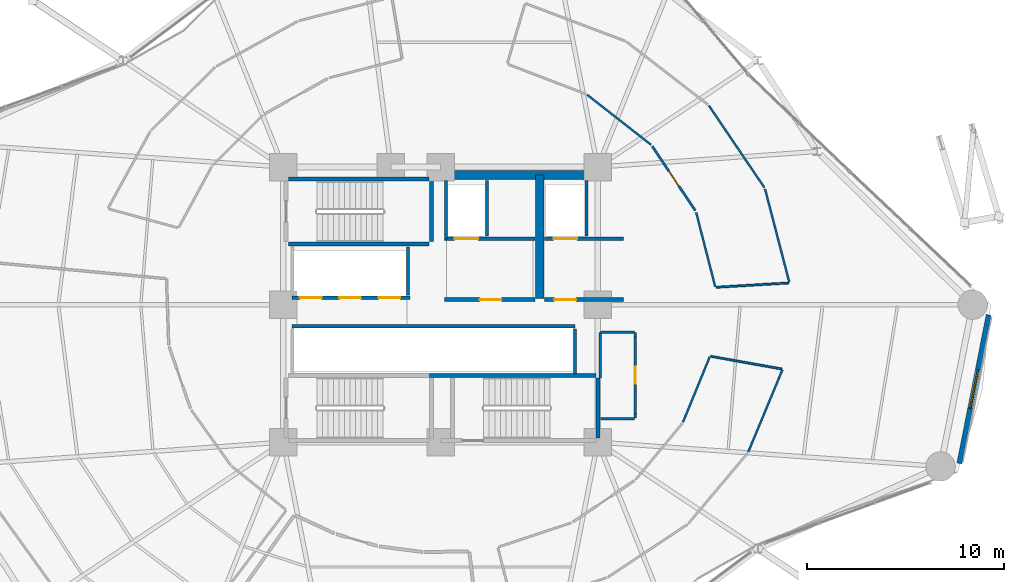
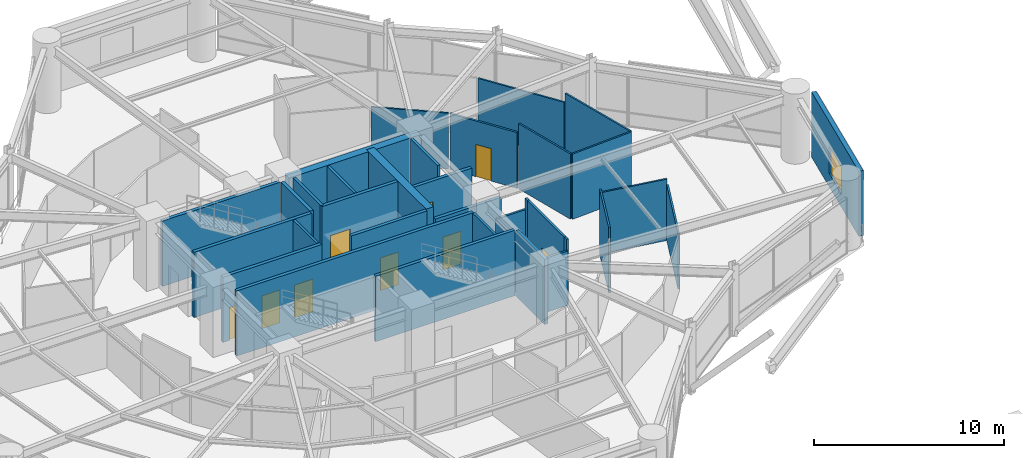
# One storey, part 45 of 55: 34 walls, 9 doors, 1 window, 10 openings.
"""IFC4 building model written with IfcOpenShell, lengths in metres."""

import ifcopenshell
import ifcopenshell.guid

model = None  # the IFC model being written
_history = None  # IfcOwnerHistory: only IFC2X3 demands one
_inside = {}  # id of a spatial element -> (the spatial element, [elements in it])
_under = {}  # id of a project, library or spatial element -> (it, [spatial elements below it])
_declared = {}  # id of a project -> (the project, [libraries it declares])
_typed = {}  # id of a type object -> (the type object, [elements of that type])
_made_of = {}  # id of a material, layer set ... -> (it, [elements and type objects made of it])


def new_model(schema):
    """Start an empty IFC model of exactly this schema.

    Asked for "IFC4X3", IfcOpenShell would pick the latest addendum, in which some entities
    have other attributes; the version numbers below select the first issue.
    IFC2X3 requires an IfcOwnerHistory on every rooted entity: one is made here for all.
    """
    global model, _history
    if schema == "IFC4X3":
        model = ifcopenshell.file(schema_version=(4, 3, 0, 0))
    else:
        model = ifcopenshell.file(schema=schema)
    _inside.clear()
    _under.clear()
    _declared.clear()
    _typed.clear()
    _made_of.clear()
    _history = None
    if model.schema == "IFC2X3":
        org = make("IfcOrganization", Name="unknown")
        user = make(
            "IfcPersonAndOrganization",
            ThePerson=make("IfcPerson", FamilyName="unknown"),
            TheOrganization=org,
        )
        app = make(
            "IfcApplication",
            ApplicationDeveloper=org,
            Version="unknown",
            ApplicationFullName="unknown",
            ApplicationIdentifier="unknown",
        )
        _history = make(
            "IfcOwnerHistory",
            OwningUser=user,
            OwningApplication=app,
            ChangeAction="ADDED",
            CreationDate=0,
        )
    return model


def make(cls, **values):
    """One entity of the class cls with the attributes given. An attribute that is None is left unset."""
    return model.create_entity(
        cls, **{name: value for name, value in values.items() if value is not None}
    )


def rooted(cls, **values):
    """An entity with a GlobalId (a new one), such as an element, a storey or a relation."""
    return make(cls, GlobalId=ifcopenshell.guid.new(), OwnerHistory=_history, **values)


def si_unit(unit_type, name, prefix=None):
    """IfcSIUnit, for example si_unit("LENGTHUNIT", "METRE", prefix="MILLI")."""
    return make("IfcSIUnit", UnitType=unit_type, Prefix=prefix, Name=name)


def assignment(units):
    """IfcUnitAssignment: the units of a project."""
    return None if units is None else make("IfcUnitAssignment", Units=units)


def point(xyz):
    """IfcCartesianPoint."""
    return None if xyz is None else make("IfcCartesianPoint", Coordinates=xyz)


def direction(xyz):
    """IfcDirection."""
    return None if xyz is None else make("IfcDirection", DirectionRatios=xyz)


def frame(location, z_axis=None, x_axis=None):
    """IfcAxis2Placement3D, a coordinate frame: its origin and axes. An axis left out is left unset."""
    return make(
        "IfcAxis2Placement3D",
        Location=point(location),
        Axis=direction(z_axis),
        RefDirection=direction(x_axis),
    )


def frame_2d(location, x_axis=None):
    """IfcAxis2Placement2D, a coordinate frame in the plane: its origin and x axis."""
    return make(
        "IfcAxis2Placement2D", Location=point(location), RefDirection=direction(x_axis)
    )


def origin():
    """The frame at (0, 0, 0) with its axes left unset."""
    return frame((0.0, 0.0, 0.0))


def place(relative_to, where):
    """IfcLocalPlacement: puts the frame where relative to a parent placement (None: the world)."""
    return make(
        "IfcLocalPlacement", PlacementRelTo=relative_to, RelativePlacement=where
    )


def context(
    kind, dimensions, precision=None, world=None, true_north=None, identifier=None
):
    """IfcGeometricRepresentationContext, for example the 3D "Model" context."""
    return make(
        "IfcGeometricRepresentationContext",
        ContextIdentifier=identifier,
        ContextType=kind,
        CoordinateSpaceDimension=dimensions,
        Precision=precision,
        WorldCoordinateSystem=world,
        TrueNorth=true_north,
    )


def subcontext(parent, identifier, kind, view, scale=None):
    """IfcGeometricRepresentationSubContext, for example "Body" below "Model"."""
    return make(
        "IfcGeometricRepresentationSubContext",
        ContextIdentifier=identifier,
        ContextType=kind,
        ParentContext=parent,
        TargetScale=scale,
        TargetView=view,
    )


def project(units=None, contexts=None):
    """IfcProject with its units and contexts."""
    return rooted(
        "IfcProject",
        Name="project",
        RepresentationContexts=contexts,
        UnitsInContext=assignment(units),
    )


def spatial(cls, under=None, at=None, **own):
    """A site, building, storey or space (cls), placed at a placement, below another one or the project."""
    s = rooted(cls, ObjectPlacement=at, **own)
    if under is not None:
        _under.setdefault(under.id(), (under, []))[1].append(s)
    return s


def profile(cls, at=None, kind="AREA", **sizes):
    """A parametric profile (cls). Its sizes go by their IFC names, for example OverallWidth=200.0."""
    return make(cls, ProfileType=kind, Position=at, **sizes)


def rectangle(**sizes):
    """IfcRectangleProfileDef."""
    return profile("IfcRectangleProfileDef", **sizes)


def extrude(swept, where, along, depth):
    """IfcExtrudedAreaSolid: the profile swept, set in the frame where, extruded along a direction by depth."""
    return make(
        "IfcExtrudedAreaSolid",
        SweptArea=swept,
        Position=where,
        ExtrudedDirection=direction(along),
        Depth=depth,
    )


def shape(context_of_items, identifier, shape_type, items):
    """IfcShapeRepresentation: the items that make up one representation, for example the "Body"."""
    return make(
        "IfcShapeRepresentation",
        ContextOfItems=context_of_items,
        RepresentationIdentifier=identifier,
        RepresentationType=shape_type,
        Items=items,
    )


def material(Name=None, Category=None):
    """IfcMaterial."""
    return make("IfcMaterial", Name=Name, Category=Category)


def layer(
    of_material, thickness, ventilated=None, Name=None, Category=None, Priority=None
):
    """IfcMaterialLayer: one layer of a wall or slab, of a material (None: an air gap)."""
    return make(
        "IfcMaterialLayer",
        Material=of_material,
        LayerThickness=thickness,
        IsVentilated=ventilated,
        Name=Name,
        Category=Category,
        Priority=Priority,
    )


def layer_set(layers, Name=None):
    """IfcMaterialLayerSet."""
    return make("IfcMaterialLayerSet", MaterialLayers=layers, LayerSetName=Name)


def made_of(thing, what):
    """Note that an element or type object is made of a material, layer set ...; save() writes the relation."""
    if what is not None:
        _made_of.setdefault(what.id(), (what, []))[1].append(thing)
    return thing


def type_object(cls, material=None, **own):
    """A type object (cls), such as IfcWallType, which elements share."""
    return made_of(rooted(cls, **own), material)


def element(
    cls,
    number,
    at=None,
    inside=None,
    cuts=None,
    type_object=None,
    material=None,
    context=None,
    identifier="Body",
    shape_type=None,
    held_by="IfcProductDefinitionShape",
    body=None,
    shapes=None,
    **own,
):
    """One element of the class cls, such as IfcWall. Its Tag is "e" and its number.

    at: its placement. inside: the storey or other place that contains it. cuts: it is an
    opening in that element (IfcRelVoidsElement). A single representation is given by context,
    identifier, shape_type and body (its items); several are given by shapes. held_by: the class
    of the entity that holds the representations. save() writes the other relations.
    """
    e = rooted(cls, Tag="e%d" % number, ObjectPlacement=at, **own)
    if body is not None:
        shapes = [shape(context, identifier, shape_type, body)]
    if shapes is not None:
        e.Representation = make(held_by, Representations=shapes)
    if inside is not None:
        _inside.setdefault(inside.id(), (inside, []))[1].append(e)
    if cuts is not None:
        rooted(
            "IfcRelVoidsElement", RelatingBuildingElement=cuts, RelatedOpeningElement=e
        )
    if type_object is not None:
        _typed.setdefault(type_object.id(), (type_object, []))[1].append(e)
    return made_of(e, material)


def fill(opening, filler):
    """IfcRelFillsElement: the door or window that sits in an opening."""
    return rooted(
        "IfcRelFillsElement",
        RelatingOpeningElement=opening,
        RelatedBuildingElement=filler,
    )


def aggregate(whole, parts):
    """IfcRelAggregates: a whole, such as a stair, and the parts it consists of."""
    return rooted("IfcRelAggregates", RelatingObject=whole, RelatedObjects=parts)


def save(model, path):
    """Write the relations noted so far, then the file.

    IfcRelAggregates (storeys below a building ...), IfcRelContainedInSpatialStructure (elements
    in a storey), IfcRelDefinesByType, IfcRelAssociatesMaterial and IfcRelDeclares: one each for
    every whole, place, type object, material and project.
    """
    for whole, parts in _under.values():
        aggregate(whole, parts)
    for where, things in _inside.values():
        rooted(
            "IfcRelContainedInSpatialStructure",
            RelatedElements=things,
            RelatingStructure=where,
        )
    for kind, things in _typed.values():
        rooted("IfcRelDefinesByType", RelatedObjects=things, RelatingType=kind)
    for what, things in _made_of.values():
        rooted("IfcRelAssociatesMaterial", RelatedObjects=things, RelatingMaterial=what)
    for by, libraries in _declared.values():
        rooted("IfcRelDeclares", RelatingContext=by, RelatedDefinitions=libraries)
    model.write(path)


model = new_model("IFC4")

# Units and contexts
model_context = context("Model", 3, precision=1e-05, world=origin(), true_north=direction((0.0, 1.0)))
body_context = subcontext(model_context, "Body", "Model", "MODEL_VIEW")
ifc_project = project(units=[si_unit("LENGTHUNIT", "METRE"), si_unit("AREAUNIT", "SQUARE_METRE"), si_unit("VOLUMEUNIT", "CUBIC_METRE"), si_unit("PLANEANGLEUNIT", "RADIAN"), si_unit("MASSUNIT", "GRAM", prefix="KILO")], contexts=[model_context])

# Site, building, storey
site_placement = place(None, origin())
site = spatial("IfcSite", under=ifc_project, at=site_placement, CompositionType="ELEMENT")
building_placement = place(site_placement, origin())
building = spatial("IfcBuilding", under=site, at=building_placement, Name="Kelanora Arch Commons", CompositionType="ELEMENT")
storey_placement = place(building_placement, frame((0.0, 0.0, 4.5)))
storey = spatial("IfcBuildingStorey", under=building, at=storey_placement, Name="L01", CompositionType="ELEMENT", Elevation=4.5)

# Walls
ifc_material_1 = material(Name="Autoclaved aerated concrete blockwork with fire plaster", Category="masonry")
ifc_layer_1 = layer(ifc_material_1, 0.14990234375)
ifc_layer_set_1 = layer_set([ifc_layer_1], Name="Autoclaved aerated concrete blockwork with fire plaster")
wall_type_1 = type_object("IfcWallType", Name="W-COMP-150", PredefinedType="PARTITIONING", material=ifc_layer_set_1)
wall_1_placement = place(storey_placement, frame((74.280029296875, 61.35009765625, 0.0), z_axis=(0.0, 0.0, 1.0), x_axis=(0.0, 1.0, 0.0)))
element("IfcWall", 1, at=wall_1_placement, inside=storey, type_object=wall_type_1, Name="Firefighting Lift 1 West Shaft Wall L01", PredefinedType="PARTITIONING", context=body_context, shape_type="SweptSolid", body=[
    extrude(rectangle(XDim=2.969970703125, YDim=0.14990234375, at=frame_2d((1.48486328125, 0.0))), origin(), (0.0, 0.0, 1.0), 4.18994140625),
])
for number, where, z_axis, x_axis, name in (
    (2, (76.360107421875, 61.47998046875, 0.0), (0.0, 0.0, 1.0), (0.0, 1.0, 0.0), "Firefighting Lift 1 East Shaft Wall L01"),
    (3, (81.419921875, 61.47998046875, 0.0), (0.0, 0.0, 1.0), (0.0, 1.0, 0.0), "Firefighting Lift 2 East Shaft Wall L01"),
):
    element("IfcWall", number, at=place(storey_placement, frame(where, z_axis=z_axis, x_axis=x_axis)), inside=storey, type_object=wall_type_1, Name=name, PredefinedType="PARTITIONING", context=body_context, shape_type="SweptSolid", body=[
        extrude(rectangle(XDim=2.840087890625, YDim=0.14990234375, at=frame_2d((1.419921875, 0.0))), origin(), (0.0, 0.0, 1.0), 4.18994140625),
    ])
wall_2_placement = place(storey_placement, frame((72.340087890625, 58.47998046875, 0.0), z_axis=(0.0, 0.0, 1.0), x_axis=(0.0, 1.0, 0.0)))
element("IfcWall", 4, at=wall_2_placement, inside=storey, type_object=wall_type_1, Name="Low-Rise Lift Bank East Wall L01", PredefinedType="PARTITIONING", context=body_context, shape_type="SweptSolid", body=[
    extrude(rectangle(XDim=2.4599609375, YDim=0.14990234375, at=frame_2d((1.22998046875, 0.0))), origin(), (0.0, 0.0, 1.0), 4.18994140625),
])
wall_3_placement = place(storey_placement, frame((80.840087890625, 54.47998046875, 0.0), z_axis=(0.0, 0.0, 1.0), x_axis=(0.0, 1.0, 0.0)))
element("IfcWall", 5, at=wall_3_placement, inside=storey, type_object=wall_type_1, Name="South Lift Bank East Wall L01", PredefinedType="PARTITIONING", context=body_context, shape_type="SweptSolid", body=[
    extrude(rectangle(XDim=2.2900390625, YDim=0.14990234375, at=frame_2d((1.14501953125, 0.0))), origin(), (0.0, 0.0, 1.0), 4.18994140625),
])
ifc_material_2 = material(Name="Concrete C60/75", Category="concrete")
ifc_layer_2 = layer(ifc_material_2, 0.449951171875)
ifc_layer_set_2 = layer_set([ifc_layer_2], Name="Concrete C60/75")
wall_type_2 = type_object("IfcWallType", Name="W-CORE-450", PredefinedType="SHEAR", material=ifc_layer_set_2)
wall_4_placement = place(storey_placement, frame((74.0, 64.60009765625, 0.0), z_axis=(0.0, 0.0, 1.0), x_axis=(1.0, 0.0, 0.0)))
element("IfcWall", 6, at=wall_4_placement, inside=storey, type_object=wall_type_2, Name="Core Shear Spine L01-CN-E", PredefinedType="SHEAR", context=body_context, shape_type="SweptSolid", body=[
    extrude(rectangle(XDim=8.0, YDim=0.449951171875, at=frame_2d((4.0, 0.0))), origin(), (0.0, 0.0, 1.0), 4.199951171875),
])
wall_5_placement = place(storey_placement, frame((79.050048828125, 58.300048828125, 0.0), z_axis=(0.0, 0.0, 1.0), x_axis=(0.0, 1.0, 0.0)))
element("IfcWall", 7, at=wall_5_placement, inside=storey, type_object=wall_type_2, Name="Core Shear Spine L01-CE-N", PredefinedType="SHEAR", context=body_context, shape_type="SweptSolid", body=[
    extrude(rectangle(XDim=6.300048828125, YDim=0.449951171875, at=frame_2d((3.14990234375, 0.0))), origin(), (0.0, 0.0, 1.0), 4.199951171875),
])

# Wall, opening, window
ifc_material_3 = material(Name="Precast concrete C40/50 with terracotta rainscreen", Category="masonry")
ifc_layer_3 = layer(ifc_material_3, 0.260009765625)
ifc_layer_set_3 = layer_set([ifc_layer_3], Name="Precast concrete C40/50 with terracotta rainscreen")
wall_type_3 = type_object("IfcWallType", Name="W-EXT-TC", PredefinedType="SOLIDWALL", material=ifc_layer_set_3)
wall_6_placement = place(storey_placement, frame((100.404296875, 49.919921875, 0.0), z_axis=(0.0, 0.0, 1.0), x_axis=(0.193726159581, 0.98105564322, 0.0)))
wall_6 = element("IfcWall", 8, at=wall_6_placement, inside=storey, type_object=wall_type_3, Name="Terracotta Exterior Wall L01-B17", PredefinedType="SOLIDWALL", context=body_context, shape_type="SweptSolid", body=[
    extrude(rectangle(XDim=7.70263671875, YDim=0.260009765625, at=frame_2d((3.851318359375, 0.0))), origin(), (0.0, 0.0, 1.0), 4.18505859375),
])
opening_1_placement = place(wall_6_placement, frame((2.85107421875, 0.0, 0.85009765625)))
opening_1 = element("IfcOpeningElement", 9, at=opening_1_placement, cuts=wall_6, Name="Opening WN-05", PredefinedType="OPENING", context=body_context, shape_type="SweptSolid", body=[
    extrude(rectangle(XDim=2.0, YDim=1.75, at=frame_2d((1.0, 0.875))), frame((0.0, 0.14013671875, 0.0), z_axis=(0.0, -1.0, 0.0), x_axis=(1.0, 0.0, 0.0)), (0.0, 0.0, 1.0), 0.280029296875),
])
ifc_material_4 = material(Name="Terracotta-anodised aluminium podium window", Category="masonry")
window_type = type_object("IfcWindowType", Name="WIN-POD-20", PartitioningType="TRIPLE_PANEL_VERTICAL", PredefinedType="WINDOW", material=ifc_material_4)
window_placement = place(opening_1_placement, origin())
window = element("IfcWindow", 10, at=window_placement, inside=storey, type_object=window_type, Name="Podium Window L01-B17", OverallHeight=1.75, OverallWidth=2.0, PartitioningType="SINGLE_PANEL", PredefinedType="WINDOW", context=body_context, shape_type="SweptSolid", body=[
    extrude(rectangle(XDim=2.0, YDim=1.75, at=frame_2d((1.0, 0.875))), frame((0.0, 0.030029296875, 0.0), z_axis=(0.0, -1.0, 0.0), x_axis=(1.0, 0.0, 0.0)), (0.0, 0.0, 1.0), 0.06005859375),
])
fill(opening_1, window)

# Wall, opening, door
ifc_material_5 = material(Name="Concrete C40/50", Category="concrete")
ifc_layer_4 = layer(ifc_material_5, 0.199951171875)
ifc_layer_set_4 = layer_set([ifc_layer_4], Name="Concrete C40/50")
wall_type_4 = type_object("IfcWallType", Name="W-FFL-200", PredefinedType="SOLIDWALL", material=ifc_layer_set_4)
wall_7_placement = place(storey_placement, frame((74.199951171875, 61.35009765625, 0.0), z_axis=(0.0, 0.0, 1.0), x_axis=(1.0, 0.0, 0.0)))
wall_7 = element("IfcWall", 11, at=wall_7_placement, inside=storey, type_object=wall_type_4, Name="Firefighting Lift 1 Shaft Front L01", PredefinedType="SOLIDWALL", context=body_context, shape_type="SweptSolid", body=[
    extrude(rectangle(XDim=4.60009765625, YDim=0.199951171875, at=frame_2d((2.300048828125, 0.0))), origin(), (0.0, 0.0, 1.0), 4.18994140625),
])
opening_2_placement = place(wall_7_placement, frame((0.52001953125, 0.0, 0.0)))
opening_2 = element("IfcOpeningElement", 12, at=opening_2_placement, cuts=wall_7, Name="Opening LD-FF", PredefinedType="OPENING", context=body_context, shape_type="SweptSolid", body=[
    extrude(rectangle(XDim=1.199951171875, YDim=2.14990234375, at=frame_2d((0.60009765625, 1.074951171875))), frame((0.0, 0.10986328125, 0.0), z_axis=(0.0, -1.0, 0.0), x_axis=(1.0, 0.0, 0.0)), (0.0, 0.0, 1.0), 0.219970703125),
])
ifc_material_6 = material(Name="Fire-rated firefighters lift sliding landing door")
door_type_1 = type_object("IfcDoorType", Name="D-LIFT-FF", OperationType="NOTDEFINED", PredefinedType="DOOR", material=ifc_material_6)
door_1_placement = place(opening_2_placement, origin())
door_1 = element("IfcDoor", 13, at=door_1_placement, inside=storey, type_object=door_type_1, Name="Firefighting Lift LF-FF1 Landing Door L01", OperationType="DOUBLE_DOOR_SLIDING", OverallHeight=2.14990234375, OverallWidth=1.199951171875, PredefinedType="DOOR", context=body_context, shape_type="SweptSolid", body=[
    extrude(rectangle(XDim=1.199951171875, YDim=2.14990234375, at=frame_2d((0.60009765625, 1.074951171875))), frame((0.0, 0.02490234375, 0.0), z_axis=(0.0, -1.0, 0.0), x_axis=(1.0, 0.0, 0.0)), (0.0, 0.0, 1.0), 0.050048828125),
])
fill(opening_2, door_1)

wall_8_placement = place(storey_placement, frame((79.300048828125, 61.35009765625, 0.0), z_axis=(0.0, 0.0, 1.0), x_axis=(1.0, 0.0, 0.0)))
wall_8 = element("IfcWall", 14, at=wall_8_placement, inside=storey, type_object=wall_type_4, Name="Firefighting Lift 2 Shaft Front L01", PredefinedType="SOLIDWALL", context=body_context, shape_type="SweptSolid", body=[
    extrude(rectangle(XDim=4.0, YDim=0.199951171875, at=frame_2d((2.0, 0.0))), origin(), (0.0, 0.0, 1.0), 3.485107421875),
])
opening_3_placement = place(wall_8_placement, frame((0.449951171875, 0.0, 0.0)))
opening_3 = element("IfcOpeningElement", 15, at=opening_3_placement, cuts=wall_8, Name="Opening LD-FF", PredefinedType="OPENING", context=body_context, shape_type="SweptSolid", body=[
    extrude(rectangle(XDim=1.199951171875, YDim=2.14990234375, at=frame_2d((0.60009765625, 1.074951171875))), frame((0.0, 0.10986328125, 0.0), z_axis=(0.0, -1.0, 0.0), x_axis=(1.0, 0.0, 0.0)), (0.0, 0.0, 1.0), 0.219970703125),
])
door_2_placement = place(opening_3_placement, origin())
door_2 = element("IfcDoor", 16, at=door_2_placement, inside=storey, type_object=door_type_1, Name="Firefighting Lift LF-FF2 Landing Door L01", OperationType="DOUBLE_DOOR_SLIDING", OverallHeight=2.14990234375, OverallWidth=1.199951171875, PredefinedType="DOOR", context=body_context, shape_type="SweptSolid", body=[
    extrude(rectangle(XDim=1.199951171875, YDim=2.14990234375, at=frame_2d((0.60009765625, 1.074951171875))), frame((0.0, 0.02490234375, 0.0), z_axis=(0.0, -1.0, 0.0), x_axis=(1.0, 0.0, 0.0)), (0.0, 0.0, 1.0), 0.050048828125),
])
fill(opening_3, door_2)

wall_9_placement = place(storey_placement, frame((74.199951171875, 58.25, 0.0), z_axis=(0.0, 0.0, 1.0), x_axis=(1.0, 0.0, 0.0)))
wall_9 = element("IfcWall", 17, at=wall_9_placement, inside=storey, type_object=wall_type_4, Name="Firefighting Lobby 1 Enclosure Wall L01", PredefinedType="SOLIDWALL", context=body_context, shape_type="SweptSolid", body=[
    extrude(rectangle(XDim=4.60009765625, YDim=0.199951171875, at=frame_2d((2.300048828125, 0.0))), origin(), (0.0, 0.0, 1.0), 4.18994140625),
])
opening_4_placement = place(wall_9_placement, frame((1.800048828125, 0.0, 0.0)))
opening_4 = element("IfcOpeningElement", 18, at=opening_4_placement, cuts=wall_9, Name="Opening D-FFL1", PredefinedType="OPENING", context=body_context, shape_type="SweptSolid", body=[
    extrude(rectangle(XDim=1.10009765625, YDim=2.10009765625, at=frame_2d((0.550048828125, 1.050048828125))), frame((0.0, 0.10986328125, 0.0), z_axis=(0.0, -1.0, 0.0), x_axis=(1.0, 0.0, 0.0)), (0.0, 0.0, 1.0), 0.219970703125),
])
ifc_material_7 = material(Name="Smoke-sealed firefighting lobby fire door")
door_type_2 = type_object("IfcDoorType", Name="D-FFL-110", OperationType="NOTDEFINED", PredefinedType="DOOR", material=ifc_material_7)
door_3_placement = place(opening_4_placement, frame((1.10009765625, 0.0, 0.0), z_axis=(0.0, 0.0, 1.0), x_axis=(-1.0, 0.0, 0.0)))
door_3 = element("IfcDoor", 19, at=door_3_placement, inside=storey, type_object=door_type_2, Name="Firefighting Lobby 1 Door L01", OperationType="SINGLE_SWING_LEFT", OverallHeight=2.10009765625, OverallWidth=1.10009765625, PredefinedType="DOOR", context=body_context, shape_type="SweptSolid", body=[
    extrude(rectangle(XDim=1.10009765625, YDim=2.10009765625, at=frame_2d((0.550048828125, 1.050048828125))), frame((0.0, 0.02490234375, 0.0), z_axis=(0.0, -1.0, 0.0), x_axis=(1.0, 0.0, 0.0)), (0.0, 0.0, 1.0), 0.050048828125),
])
fill(opening_4, door_3)

wall_10_placement = place(storey_placement, frame((79.300048828125, 58.25, 0.0), z_axis=(0.0, 0.0, 1.0), x_axis=(1.0, 0.0, 0.0)))
wall_10 = element("IfcWall", 20, at=wall_10_placement, inside=storey, type_object=wall_type_4, Name="Firefighting Lobby 2 Enclosure Wall L01", PredefinedType="SOLIDWALL", context=body_context, shape_type="SweptSolid", body=[
    extrude(rectangle(XDim=4.0, YDim=0.199951171875, at=frame_2d((2.0, 0.0))), origin(), (0.0, 0.0, 1.0), 3.485107421875),
])
opening_5_placement = place(wall_10_placement, frame((0.5, 0.0, 0.0)))
opening_5 = element("IfcOpeningElement", 21, at=opening_5_placement, cuts=wall_10, Name="Opening D-FFL1", PredefinedType="OPENING", context=body_context, shape_type="SweptSolid", body=[
    extrude(rectangle(XDim=1.10009765625, YDim=2.10009765625, at=frame_2d((0.550048828125, 1.050048828125))), frame((0.0, 0.10986328125, 0.0), z_axis=(0.0, -1.0, 0.0), x_axis=(1.0, 0.0, 0.0)), (0.0, 0.0, 1.0), 0.219970703125),
])
door_4_placement = place(opening_5_placement, frame((1.10009765625, 0.0, 0.0), z_axis=(0.0, 0.0, 1.0), x_axis=(-1.0, 0.0, 0.0)))
door_4 = element("IfcDoor", 22, at=door_4_placement, inside=storey, type_object=door_type_2, Name="Firefighting Lobby 2 Door L01", OperationType="SINGLE_SWING_RIGHT", OverallHeight=2.10009765625, OverallWidth=1.10009765625, PredefinedType="DOOR", context=body_context, shape_type="SweptSolid", body=[
    extrude(rectangle(XDim=1.10009765625, YDim=2.10009765625, at=frame_2d((0.550048828125, 1.050048828125))), frame((0.0, 0.02490234375, 0.0), z_axis=(0.0, -1.0, 0.0), x_axis=(1.0, 0.0, 0.0)), (0.0, 0.0, 1.0), 0.050048828125),
])
fill(opening_5, door_4)

# Wall, openings, doors
wall_11_placement = place(storey_placement, frame((66.449951171875, 58.35009765625, 0.0), z_axis=(0.0, 0.0, 1.0), x_axis=(1.0, 0.0, 0.0)))
wall_11 = element("IfcWall", 23, at=wall_11_placement, inside=storey, type_object=wall_type_4, Name="Low-Rise Passenger Lift Shaft Front L01", PredefinedType="SOLIDWALL", context=body_context, shape_type="SweptSolid", body=[
    extrude(rectangle(XDim=6.0, YDim=0.199951171875, at=frame_2d((3.0, 0.0))), origin(), (0.0, 0.0, 1.0), 4.18994140625),
])
opening_6_placement = place(wall_11_placement, frame((0.39990234375, 0.0, 0.0)))
opening_6 = element("IfcOpeningElement", 24, at=opening_6_placement, cuts=wall_11, Name="Opening LD-01", PredefinedType="OPENING", context=body_context, shape_type="SweptSolid", body=[
    extrude(rectangle(XDim=1.10009765625, YDim=2.10009765625, at=frame_2d((0.550048828125, 1.050048828125))), frame((0.0, 0.10986328125, 0.0), z_axis=(0.0, -1.0, 0.0), x_axis=(1.0, 0.0, 0.0)), (0.0, 0.0, 1.0), 0.219970703125),
])
opening_7_placement = place(wall_11_placement, frame((2.39990234375, 0.0, 0.0)))
opening_7 = element("IfcOpeningElement", 25, at=opening_7_placement, cuts=wall_11, Name="Opening LD-01", PredefinedType="OPENING", context=body_context, shape_type="SweptSolid", body=[
    extrude(rectangle(XDim=1.10009765625, YDim=2.10009765625, at=frame_2d((0.550048828125, 1.050048828125))), frame((0.0, 0.10986328125, 0.0), z_axis=(0.0, -1.0, 0.0), x_axis=(1.0, 0.0, 0.0)), (0.0, 0.0, 1.0), 0.219970703125),
])
opening_8_placement = place(wall_11_placement, frame((4.39990234375, 0.0, 0.0)))
opening_8 = element("IfcOpeningElement", 26, at=opening_8_placement, cuts=wall_11, Name="Opening LD-01", PredefinedType="OPENING", context=body_context, shape_type="SweptSolid", body=[
    extrude(rectangle(XDim=1.10009765625, YDim=2.10009765625, at=frame_2d((0.550048828125, 1.050048828125))), frame((0.0, 0.10986328125, 0.0), z_axis=(0.0, -1.0, 0.0), x_axis=(1.0, 0.0, 0.0)), (0.0, 0.0, 1.0), 0.219970703125),
])
ifc_material_8 = material(Name="Stainless steel passenger lift sliding landing door", Category="steel")
door_type_3 = type_object("IfcDoorType", Name="D-LIFT-110", OperationType="NOTDEFINED", PredefinedType="DOOR", material=ifc_material_8)
door_5_placement = place(opening_6_placement, origin())
door_5 = element("IfcDoor", 27, at=door_5_placement, inside=storey, type_object=door_type_3, Name="Passenger Lift LF-P1 Landing Door L01", OperationType="DOUBLE_DOOR_SLIDING", OverallHeight=2.10009765625, OverallWidth=1.10009765625, PredefinedType="DOOR", context=body_context, shape_type="SweptSolid", body=[
    extrude(rectangle(XDim=1.10009765625, YDim=2.10009765625, at=frame_2d((0.550048828125, 1.050048828125))), frame((0.0, 0.02490234375, 0.0), z_axis=(0.0, -1.0, 0.0), x_axis=(1.0, 0.0, 0.0)), (0.0, 0.0, 1.0), 0.050048828125),
])
fill(opening_6, door_5)
door_6_placement = place(opening_7_placement, origin())
door_6 = element("IfcDoor", 28, at=door_6_placement, inside=storey, type_object=door_type_3, Name="Passenger Lift LF-P2 Landing Door L01", OperationType="DOUBLE_DOOR_SLIDING", OverallHeight=2.10009765625, OverallWidth=1.10009765625, PredefinedType="DOOR", context=body_context, shape_type="SweptSolid", body=[
    extrude(rectangle(XDim=1.10009765625, YDim=2.10009765625, at=frame_2d((0.550048828125, 1.050048828125))), frame((0.0, 0.02490234375, 0.0), z_axis=(0.0, -1.0, 0.0), x_axis=(1.0, 0.0, 0.0)), (0.0, 0.0, 1.0), 0.050048828125),
])
fill(opening_7, door_6)
door_7_placement = place(opening_8_placement, origin())
door_7 = element("IfcDoor", 29, at=door_7_placement, inside=storey, type_object=door_type_3, Name="Passenger Lift LF-P3 Landing Door L01", OperationType="DOUBLE_DOOR_SLIDING", OverallHeight=2.10009765625, OverallWidth=1.10009765625, PredefinedType="DOOR", context=body_context, shape_type="SweptSolid", body=[
    extrude(rectangle(XDim=1.10009765625, YDim=2.10009765625, at=frame_2d((0.550048828125, 1.050048828125))), frame((0.0, 0.02490234375, 0.0), z_axis=(0.0, -1.0, 0.0), x_axis=(1.0, 0.0, 0.0)), (0.0, 0.0, 1.0), 0.050048828125),
])
fill(opening_8, door_7)

# Walls
wall_12_placement = place(storey_placement, frame((66.449951171875, 56.89990234375, 0.0), z_axis=(0.0, 0.0, 1.0), x_axis=(1.0, 0.0, 0.0)))
element("IfcWall", 30, at=wall_12_placement, inside=storey, type_object=wall_type_4, Name="Mid/High/Express Lift Shaft Front L01", PredefinedType="SOLIDWALL", context=body_context, shape_type="SweptSolid", body=[
    extrude(rectangle(XDim=14.400146484375, YDim=0.199951171875, at=frame_2d((7.2001953125, 0.0))), origin(), (0.0, 0.0, 1.0), 4.18994140625),
])
ifc_material_9 = material(Name="Lightweight fire-rated acoustic stud partition")
ifc_layer_5 = layer(ifc_material_9, 0.10009765625)
ifc_layer_set_5 = layer_set([ifc_layer_5], Name="Lightweight fire-rated acoustic stud partition")
wall_type_5 = type_object("IfcWallType", Name="W-PART-100", PredefinedType="PARTITIONING", material=ifc_layer_set_5)
wall_13_placement = place(storey_placement, frame((87.97607421875, 58.918701171875, 0.0), z_axis=(0.0, 0.0, 1.0), x_axis=(-0.2484930483, 0.968633679441, 0.0)))
element("IfcWall", 31, at=wall_13_placement, inside=storey, type_object=wall_type_5, Name="Arch Portal Overlook Co-Working Commons L01-A Enclosure Partition 1", PredefinedType="PARTITIONING", context=body_context, shape_type="SweptSolid", body=[
    extrude(rectangle(XDim=3.892578125, YDim=0.10009765625, at=frame_2d((1.9462890625, 0.0))), origin(), (0.0, 0.0, 1.0), 4.18994140625),
])
wall_14_placement = place(storey_placement, frame((84.70849609375, 66.13671875, 0.0), z_axis=(0.0, 0.0, 1.0), x_axis=(-0.787643654738, 0.616131051929, 0.0)))
element("IfcWall", 32, at=wall_14_placement, inside=storey, type_object=wall_type_5, Name="Arch Portal Overlook Co-Working Commons L01-A Enclosure Partition 3", PredefinedType="PARTITIONING", context=body_context, shape_type="SweptSolid", body=[
    extrude(rectangle(XDim=4.123779296875, YDim=0.10009765625, at=frame_2d((2.06201171875, 0.0))), origin(), (0.0, 0.0, 1.0), 3.5849609375),
])
wall_15_placement = place(storey_placement, frame((87.658447265625, 68.122802734375, 0.0), z_axis=(0.0, 0.0, 1.0), x_axis=(0.560570503323, -0.828106702548, 0.0)))
element("IfcWall", 33, at=wall_15_placement, inside=storey, type_object=wall_type_5, Name="Arch Portal Overlook Co-Working Commons L01-A Enclosure Partition 8", PredefinedType="PARTITIONING", context=body_context, shape_type="SweptSolid", body=[
    extrude(rectangle(XDim=5.036376953125, YDim=0.10009765625, at=frame_2d((2.51806640625, 0.0))), origin(), (0.0, 0.0, 1.0), 3.5849609375),
])
wall_16_placement = place(storey_placement, frame((90.51416015625, 63.88037109375, 0.0), z_axis=(0.0, 0.0, 1.0), x_axis=(0.251697355595, -0.967805993568, 0.0)))
element("IfcWall", 34, at=wall_16_placement, inside=storey, type_object=wall_type_5, Name="Arch Portal Overlook Co-Working Commons L01-A Enclosure Partition 9", PredefinedType="PARTITIONING", context=body_context, shape_type="SweptSolid", body=[
    extrude(rectangle(XDim=4.8974609375, YDim=0.10009765625, at=frame_2d((2.44873046875, 0.0))), origin(), (0.0, 0.0, 1.0), 4.18994140625),
])
wall_17_placement = place(storey_placement, frame((91.717041015625, 59.099609375, 0.0), z_axis=(0.0, 0.0, 1.0), x_axis=(-0.99827186777, -0.058764598341, 0.0)))
element("IfcWall", 35, at=wall_17_placement, inside=storey, type_object=wall_type_5, Name="Arch Portal Overlook Co-Working Commons L01-A Enclosure Partition 10", PredefinedType="PARTITIONING", context=body_context, shape_type="SweptSolid", body=[
    extrude(rectangle(XDim=3.697509765625, YDim=0.10009765625, at=frame_2d((1.8486328125, 0.0))), origin(), (0.0, 0.0, 1.0), 4.18994140625),
])
wall_18_placement = place(storey_placement, frame((86.336181640625, 52.014892578125, 0.0), z_axis=(0.0, 0.0, 1.0), x_axis=(0.379262523909, 0.925289110472, 0.0)))
element("IfcWall", 36, at=wall_18_placement, inside=storey, type_object=wall_type_5, Name="South-East Courtyard Reading Gallery L01-D Enclosure Partition 4", PredefinedType="PARTITIONING", context=body_context, shape_type="SweptSolid", body=[
    extrude(rectangle(XDim=3.592529296875, YDim=0.10009765625, at=frame_2d((1.79638671875, 0.0))), origin(), (0.0, 0.0, 1.0), 4.18994140625),
])
wall_19_placement = place(storey_placement, frame((87.75341796875, 55.368896484375, 0.0), z_axis=(0.0, 0.0, 1.0), x_axis=(0.98438649623, -0.176020527328, 0.0)))
element("IfcWall", 37, at=wall_19_placement, inside=storey, type_object=wall_type_5, Name="South-East Courtyard Reading Gallery L01-D Enclosure Partition 5", PredefinedType="PARTITIONING", context=body_context, shape_type="SweptSolid", body=[
    extrude(rectangle(XDim=3.675537109375, YDim=0.10009765625, at=frame_2d((1.837890625, 0.0))), origin(), (0.0, 0.0, 1.0), 3.945068359375),
])
wall_20_placement = place(storey_placement, frame((91.3955078125, 54.677978515625, 0.0), z_axis=(0.0, 0.0, 1.0), x_axis=(-0.383734407675, -0.923443503614, 0.0)))
element("IfcWall", 38, at=wall_20_placement, inside=storey, type_object=wall_type_5, Name="South-East Courtyard Reading Gallery L01-D Enclosure Partition 6", PredefinedType="PARTITIONING", context=body_context, shape_type="SweptSolid", body=[
    extrude(rectangle(XDim=4.526611328125, YDim=0.10009765625, at=frame_2d((2.26318359375, 0.0))), origin(), (0.0, 0.0, 1.0), 3.5849609375),
])

# Wall, opening, door
ifc_material_10 = material(Name="Acoustic twin-stud fire-rated gypsum partition")
ifc_layer_6 = layer(ifc_material_10, 0.1201171875)
ifc_layer_set_6 = layer_set([ifc_layer_6], Name="Acoustic twin-stud fire-rated gypsum partition")
wall_type_6 = type_object("IfcWallType", Name="W-PART-120", PredefinedType="PARTITIONING", material=ifc_layer_set_6)
wall_21_placement = place(storey_placement, frame((86.9658203125, 62.77783203125, 0.0), z_axis=(0.0, 0.0, 1.0), x_axis=(-0.555256503379, 0.831679154154, 0.0)))
wall_21 = element("IfcWall", 39, at=wall_21_placement, inside=storey, type_object=wall_type_6, Name="Arch Portal Overlook Co-Working Commons L01-A Entry Partition", PredefinedType="PARTITIONING", context=body_context, shape_type="SweptSolid", body=[
    extrude(rectangle(XDim=3.948974609375, YDim=0.1201171875, at=frame_2d((1.974609375, 0.0))), origin(), (0.0, 0.0, 1.0), 3.5849609375),
])
opening_9_placement = place(wall_21_placement, frame((1.52392578125, 0.0, 0.0)))
opening_9 = element("IfcOpeningElement", 40, at=opening_9_placement, cuts=wall_21, Name="Opening D-RM1", PredefinedType="OPENING", context=body_context, shape_type="SweptSolid", body=[
    extrude(rectangle(XDim=0.89990234375, YDim=2.080078125, at=frame_2d((0.449951171875, 1.0400390625))), frame((0.0, 0.070068359375, 0.0), z_axis=(0.0, -1.0, 0.0), x_axis=(1.0, 0.0, 0.0)), (0.0, 0.0, 1.0), 0.14013671875),
])
ifc_material_11 = material(Name="Acoustic fire-rated timber study and lounge door", Category="wood")
door_type_4 = type_object("IfcDoorType", Name="D-ROOM-90", OperationType="NOTDEFINED", PredefinedType="DOOR", material=ifc_material_11)
door_8_placement = place(opening_9_placement, origin())
door_8 = element("IfcDoor", 41, at=door_8_placement, inside=storey, type_object=door_type_4, Name="Arch Portal Overlook Co-Working Commons L01-A Door", OperationType="SINGLE_SWING_LEFT", OverallHeight=2.080078125, OverallWidth=0.89990234375, PredefinedType="DOOR", context=body_context, shape_type="SweptSolid", body=[
    extrude(rectangle(XDim=0.89990234375, YDim=2.080078125, at=frame_2d((0.449951171875, 1.0400390625))), frame((0.0, 0.02490234375, 0.0), z_axis=(0.0, -1.0, 0.0), x_axis=(1.0, 0.0, 0.0)), (0.0, 0.0, 1.0), 0.050048828125),
])
fill(opening_9, door_8)

# Walls
ifc_layer_7 = layer(ifc_material_5, 0.199951171875)
ifc_layer_set_7 = layer_set([ifc_layer_7], Name="Concrete C40/50")
wall_type_7 = type_object("IfcWallType", Name="W-STAIR-200", PredefinedType="SHEAR", material=ifc_layer_set_7)
wall_22_placement = place(storey_placement, frame((66.260009765625, 61.080078125, 0.0), z_axis=(0.0, 0.0, 1.0), x_axis=(1.0, 0.0, 0.0)))
element("IfcWall", 42, at=wall_22_placement, inside=storey, type_object=wall_type_7, Name="Stair ST-T1 Shaft Wall S L01", PredefinedType="SHEAR", context=body_context, shape_type="SweptSolid", body=[
    extrude(rectangle(XDim=7.159912109375, YDim=0.199951171875, at=frame_2d((3.580078125, 0.0))), origin(), (0.0, 0.0, 1.0), 4.199951171875),
])
wall_23_placement = place(storey_placement, frame((73.5400390625, 61.199951171875, 0.0), z_axis=(0.0, 0.0, 1.0), x_axis=(0.0, 1.0, 0.0)))
element("IfcWall", 43, at=wall_23_placement, inside=storey, type_object=wall_type_7, Name="Stair ST-T1 Shaft Wall E L01", PredefinedType="SHEAR", context=body_context, shape_type="SweptSolid", body=[
    extrude(rectangle(XDim=3.070068359375, YDim=0.199951171875, at=frame_2d((1.53515625, 0.0))), origin(), (0.0, 0.0, 1.0), 4.199951171875),
])
wall_24_placement = place(storey_placement, frame((73.419921875, 64.389892578125, 0.0), z_axis=(0.0, 0.0, 1.0), x_axis=(-1.0, 0.0, 0.0)))
element("IfcWall", 44, at=wall_24_placement, inside=storey, type_object=wall_type_7, Name="Stair ST-T1 Shaft Wall N L01", PredefinedType="SHEAR", context=body_context, shape_type="SweptSolid", body=[
    extrude(rectangle(XDim=7.159912109375, YDim=0.199951171875, at=frame_2d((3.580078125, 0.0))), origin(), (0.0, 0.0, 1.0), 4.199951171875),
])
wall_25_placement = place(storey_placement, frame((82.02001953125, 51.199951171875, 0.0), z_axis=(0.0, 0.0, 1.0), x_axis=(0.0, 1.0, 0.0)))
element("IfcWall", 45, at=wall_25_placement, inside=storey, type_object=wall_type_7, Name="Stair ST-T2 Shaft Wall E L01", PredefinedType="SHEAR", context=body_context, shape_type="SweptSolid", body=[
    extrude(rectangle(XDim=3.070068359375, YDim=0.199951171875, at=frame_2d((1.53515625, 0.0))), origin(), (0.0, 0.0, 1.0), 4.199951171875),
])
wall_26_placement = place(storey_placement, frame((81.89990234375, 54.389892578125, 0.0), z_axis=(0.0, 0.0, 1.0), x_axis=(-1.0, 0.0, 0.0)))
element("IfcWall", 46, at=wall_26_placement, inside=storey, type_object=wall_type_7, Name="Stair ST-T2 Shaft Wall N L01", PredefinedType="SHEAR", context=body_context, shape_type="SweptSolid", body=[
    extrude(rectangle(XDim=8.4599609375, YDim=0.199951171875, at=frame_2d((4.22998046875, 0.0))), origin(), (0.0, 0.0, 1.0), 4.199951171875),
])

# Wall, opening, door
ifc_material_12 = material(Name="Moisture-resistant fire-rated cement-board plumbing wall")
ifc_layer_8 = layer(ifc_material_12, 0.1298828125)
ifc_layer_set_8 = layer_set([ifc_layer_8], Name="Moisture-resistant fire-rated cement-board plumbing wall")
wall_type_8 = type_object("IfcWallType", Name="W-WET-120", PredefinedType="PLUMBINGWALL", material=ifc_layer_set_8)
wall_27_placement = place(storey_placement, frame((83.89990234375, 52.4599609375, 0.0), z_axis=(0.0, 0.0, 1.0), x_axis=(0.0, 1.0, 0.0)))
wall_27 = element("IfcWall", 47, at=wall_27_placement, inside=storey, type_object=wall_type_8, Name="Podium Accessible Toilets L01 Entry Partition", PredefinedType="PLUMBINGWALL", context=body_context, shape_type="SweptSolid", body=[
    extrude(rectangle(XDim=3.880126953125, YDim=0.1298828125, at=frame_2d((1.93994140625, 0.0))), origin(), (0.0, 0.0, 1.0), 4.18994140625),
])
opening_10_placement = place(wall_27_placement, frame((1.510009765625, 0.0, 0.0)))
opening_10 = element("IfcOpeningElement", 48, at=opening_10_placement, cuts=wall_27, Name="Opening D-BT1", PredefinedType="OPENING", context=body_context, shape_type="SweptSolid", body=[
    extrude(rectangle(XDim=0.860107421875, YDim=2.050048828125, at=frame_2d((0.43017578125, 1.02490234375))), frame((0.0, 0.074951171875, 0.0), z_axis=(0.0, -1.0, 0.0), x_axis=(1.0, 0.0, 0.0)), (0.0, 0.0, 1.0), 0.14990234375),
])
ifc_material_13 = material(Name="Moisture-sealed fire-rated accessible bathroom door")
door_type_5 = type_object("IfcDoorType", Name="D-BATH-85", OperationType="NOTDEFINED", PredefinedType="DOOR", material=ifc_material_13)
door_9_placement = place(opening_10_placement, origin())
door_9 = element("IfcDoor", 49, at=door_9_placement, inside=storey, type_object=door_type_5, Name="Podium Accessible Toilets L01 Door", OperationType="SINGLE_SWING_RIGHT", OverallHeight=2.050048828125, OverallWidth=0.860107421875, PredefinedType="DOOR", context=body_context, shape_type="SweptSolid", body=[
    extrude(rectangle(XDim=0.860107421875, YDim=2.050048828125, at=frame_2d((0.43017578125, 1.02490234375))), frame((0.0, 0.02490234375, 0.0), z_axis=(0.0, -1.0, 0.0), x_axis=(1.0, 0.0, 0.0)), (0.0, 0.0, 1.0), 0.050048828125),
])
fill(opening_10, door_9)

# Walls
wall_28_placement = place(storey_placement, frame((82.139892578125, 52.199951171875, 0.0), z_axis=(0.0, 0.0, 1.0), x_axis=(1.0, 0.0, 0.0)))
element("IfcWall", 50, at=wall_28_placement, inside=storey, type_object=wall_type_8, Name="Podium Accessible Toilets L01 Enclosure Partition 1", PredefinedType="PLUMBINGWALL", context=body_context, shape_type="SweptSolid", body=[
    extrude(rectangle(XDim=1.739990234375, YDim=0.1298828125, at=frame_2d((0.8701171875, 0.0))), origin(), (0.0, 0.0, 1.0), 3.485107421875),
])
for number, where, z_axis, x_axis, name in (
    (51, (83.89990234375, 52.219970703125, 0.0), (0.0, 0.0, 1.0), (0.0, 1.0, 0.0), "Podium Accessible Toilets L01 Enclosure Partition 2"),
    (52, (83.89990234375, 56.340087890625, 0.0), (0.0, 0.0, 1.0), (0.0, 1.0, 0.0), "Podium Accessible Toilets L01 Enclosure Partition 2"),
):
    element("IfcWall", number, at=place(storey_placement, frame(where, z_axis=z_axis, x_axis=x_axis)), inside=storey, type_object=wall_type_8, Name=name, PredefinedType="PLUMBINGWALL", context=body_context, shape_type="SweptSolid", body=[
        extrude(rectangle(XDim=0.239990234375, YDim=0.1298828125, at=frame_2d((0.1201171875, 0.0))), origin(), (0.0, 0.0, 1.0), 4.18994140625),
    ])
wall_29_placement = place(storey_placement, frame((83.8798828125, 56.60009765625, 0.0), z_axis=(0.0, 0.0, 1.0), x_axis=(-1.0, 0.0, 0.0)))
element("IfcWall", 53, at=wall_29_placement, inside=storey, type_object=wall_type_8, Name="Podium Accessible Toilets L01 Enclosure Partition 3", PredefinedType="PLUMBINGWALL", context=body_context, shape_type="SweptSolid", body=[
    extrude(rectangle(XDim=1.739990234375, YDim=0.1298828125, at=frame_2d((0.8701171875, 0.0))), origin(), (0.0, 0.0, 1.0), 3.485107421875),
])
wall_30_placement = place(storey_placement, frame((82.1201171875, 56.580078125, 0.0), z_axis=(0.0, 0.0, 1.0), x_axis=(0.0, -1.0, 0.0)))
element("IfcWall", 54, at=wall_30_placement, inside=storey, type_object=wall_type_8, Name="Podium Accessible Toilets L01 Enclosure Partition 4", PredefinedType="PLUMBINGWALL", context=body_context, shape_type="SweptSolid", body=[
    extrude(rectangle(XDim=2.31005859375, YDim=0.1298828125, at=frame_2d((1.155029296875, 0.0))), origin(), (0.0, 0.0, 1.0), 3.485107421875),
])

save(model, "model.ifc")
